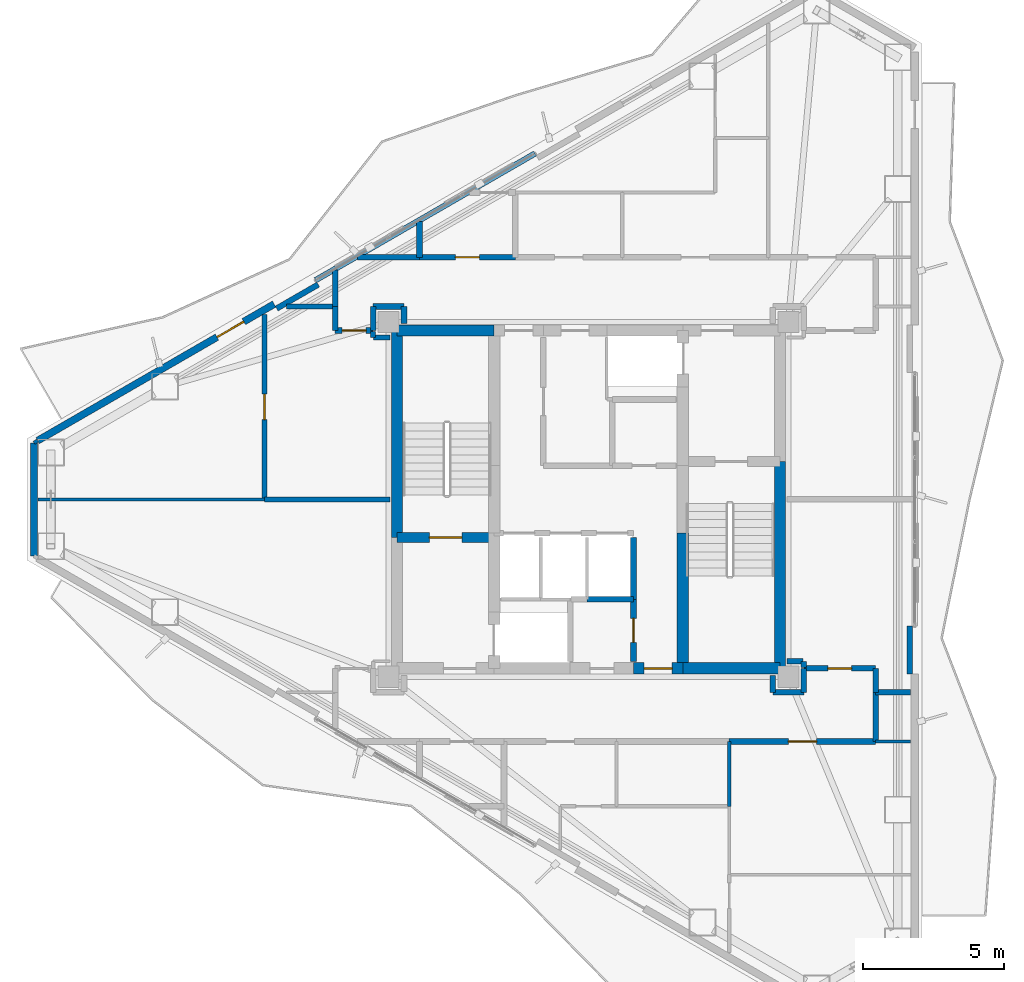
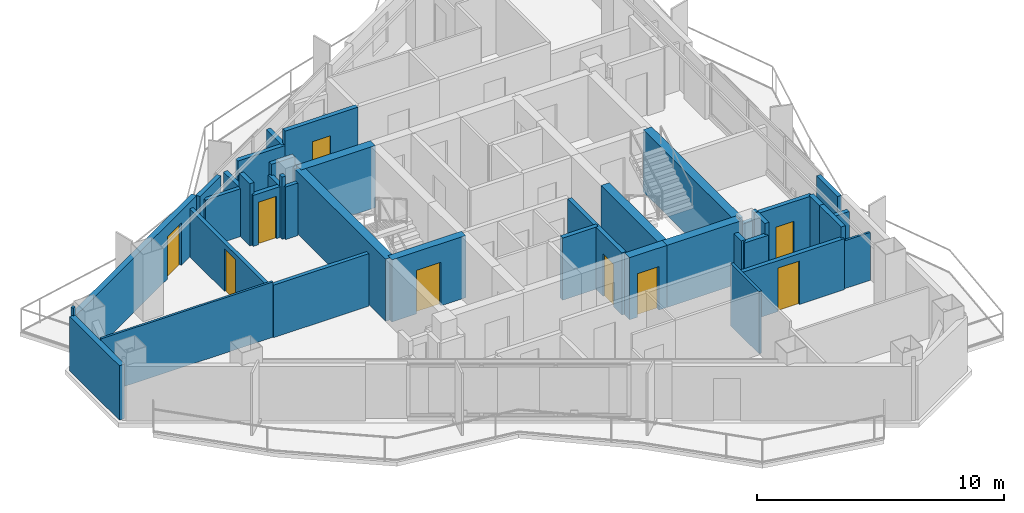
# One storey, part 17 of 21: 43 walls, 9 doors, 9 openings.
"""IFC4 building model written with IfcOpenShell, lengths in metres."""

from ifc_helpers import new_model, si_unit, direction, frame, frame_2d, origin, place, context, subcontext, project, spatial, rectangle, extrude, material, layer, layer_set, type_object, element, fill, save


model = new_model("IFC4")

# Units and contexts
model_context = context("Model", 3, precision=1e-05, world=origin(), true_north=direction((0.0, 1.0)))
body_context = subcontext(model_context, "Body", "Model", "MODEL_VIEW")
ifc_project = project(units=[si_unit("LENGTHUNIT", "METRE"), si_unit("AREAUNIT", "SQUARE_METRE"), si_unit("VOLUMEUNIT", "CUBIC_METRE"), si_unit("PLANEANGLEUNIT", "RADIAN"), si_unit("MASSUNIT", "GRAM", prefix="KILO")], contexts=[model_context])

# Site, building, storey
site_placement = place(None, origin())
site = spatial("IfcSite", under=ifc_project, at=site_placement, CompositionType="ELEMENT")
building_placement = place(site_placement, origin())
building = spatial("IfcBuilding", under=site, at=building_placement, Name="Mersakhor Tower and Convention Hall", CompositionType="ELEMENT")
storey_placement = place(building_placement, frame((0.0, 0.0, 182.10009765625)))
storey = spatial("IfcBuildingStorey", under=building, at=storey_placement, Name="L50", CompositionType="ELEMENT", Elevation=182.10009765625)

# Wall
ifc_material_1 = material(Name="Precast concrete C40/50", Category="concrete")
ifc_layer_1 = layer(ifc_material_1, 0.25)
ifc_layer_set_1 = layer_set([ifc_layer_1], Name="Precast concrete C40/50")
wall_type_1 = type_object("IfcWallType", Name="WL-EXT-250", PredefinedType="SOLIDWALL", material=ifc_layer_set_1)
wall_1_placement = place(storey_placement, frame((9.3076171875, 24.73828125, 0.0), z_axis=(0.0, 0.0, 1.0), x_axis=(0.0, 1.0, 0.0)))
element("IfcWall", 1, at=wall_1_placement, inside=storey, type_object=wall_type_1, Name="L50 Chamfer Braced Spandrel Wall C3", PredefinedType="SOLIDWALL", context=body_context, shape_type="SweptSolid", body=[
    extrude(rectangle(XDim=4.0234375, YDim=0.25, at=frame_2d((2.01171875, 0.0))), origin(), (0.0, 0.0, 1.0), 2.68994140625),
])

# Wall, opening, door
wall_2_placement = place(storey_placement, frame((9.4375, 28.836669921875, 0.0), z_axis=(0.0, 0.0, 1.0), x_axis=(0.866027133173, 0.499997004599, 0.0)))
wall_2 = element("IfcWall", 2, at=wall_2_placement, inside=storey, type_object=wall_type_1, Name="L50 Exterior Facade Wall F1-B1", PredefinedType="SOLIDWALL", context=body_context, shape_type="SweptSolid", body=[
    extrude(rectangle(XDim=9.69873046875, YDim=0.25, at=frame_2d((4.849365234375, 0.0))), origin(), (0.0, 0.0, 1.0), 2.68994140625),
])
opening_1_placement = place(wall_2_placement, frame((7.35205078125, 0.0, 0.0)))
opening_1 = element("IfcOpeningElement", 3, at=opening_1_placement, cuts=wall_2, Name="Opening BD-02", PredefinedType="OPENING", context=body_context, shape_type="SweptSolid", body=[
    extrude(rectangle(XDim=1.10009765625, YDim=2.10009765625, at=frame_2d((0.550048828125, 1.050048828125))), frame((0.0, 0.135009765625, 0.0), z_axis=(0.0, -1.0, 0.0), x_axis=(1.0, 0.0, 0.0)), (0.0, 0.0, 1.0), 0.27001953125),
])
ifc_material_2 = material(Name="Thermally broken dark aluminium and safety glass", Category="aluminium")
door_type_1 = type_object("IfcDoorType", Name="DR-BAL-110x210", OperationType="NOTDEFINED", PredefinedType="DOOR", material=ifc_material_2)
door_1_placement = place(opening_1_placement, origin())
door_1 = element("IfcDoor", 4, at=door_1_placement, inside=storey, type_object=door_type_1, Name="L50 Balcony Terrace Door F1-B1", OperationType="SINGLE_SWING_RIGHT", OverallHeight=2.10009765625, OverallWidth=1.10009765625, PredefinedType="DOOR", context=body_context, shape_type="SweptSolid", body=[
    extrude(rectangle(XDim=1.10009765625, YDim=2.10009765625, at=frame_2d((0.550048828125, 1.050048828125))), frame((0.0, 0.02490234375, 0.0), z_axis=(0.0, -1.0, 0.0), x_axis=(1.0, 0.0, 0.0)), (0.0, 0.0, 1.0), 0.050048828125),
])
fill(opening_1, door_1)

# Walls
ifc_material_3 = material(Name="Precast concrete C40/50", Category="concrete")
ifc_layer_2 = layer(ifc_material_3, 0.199951171875)
ifc_layer_set_2 = layer_set([ifc_layer_2], Name="Precast concrete C40/50")
wall_type_2 = type_object("IfcWallType", Name="WL-PAR-200", PredefinedType="PARAPET", material=ifc_layer_set_2)
wall_3_placement = place(storey_placement, frame((19.30908203125, 34.5361328125, 0.0), z_axis=(0.0, 0.0, 1.0), x_axis=(0.866020680503, 0.500008180874, 0.0)))
element("IfcWall", 5, at=wall_3_placement, inside=storey, type_object=wall_type_2, Name="L50 Curtain Wall Upstand Sill F1-B2", PredefinedType="PARAPET", context=body_context, shape_type="SweptSolid", body=[
    extrude(rectangle(XDim=8.998779296875, YDim=0.199951171875, at=frame_2d((4.49951171875, 0.0))), origin(), (0.0, 0.0, 1.0), 0.199951171875),
])
for number, where, z_axis, x_axis, name in (
    (6, (17.927001953125, 33.5302734375, 0.0), (0.0, 0.0, 1.0), (0.86605165483, 0.499954529098, 0.0), "L50 Column Pier Cladding Wall F1-C1"),
    (7, (40.408447265625, 22.25048828125, 0.0), (0.0, 0.0, 1.0), (0.0, -1.0, 0.0), "L50 Column Pier Cladding Wall F2-C2"),
):
    element("IfcWall", number, at=place(storey_placement, frame(where, z_axis=z_axis, x_axis=x_axis)), inside=storey, type_object=wall_type_2, Name=name, PredefinedType="PARAPET", context=body_context, shape_type="SweptSolid", body=[
        extrude(rectangle(XDim=1.699951171875, YDim=0.199951171875, at=frame_2d((0.85009765625, 0.0))), origin(), (0.0, 0.0, 1.0), 2.68994140625),
    ])
ifc_material_4 = material(Name="Moisture-resistant acoustic drywall studwork", Category="other")
ifc_layer_3 = layer(ifc_material_4, 0.175048828125)
ifc_layer_set_3 = layer_set([ifc_layer_3], Name="Moisture-resistant acoustic drywall studwork")
wall_type_3 = type_object("IfcWallType", Name="WL-PLM-175", PredefinedType="PLUMBINGWALL", material=ifc_layer_set_3)
wall_4_placement = place(storey_placement, frame((21.35009765625, 32.719970703125, 0.0), z_axis=(0.0, 0.0, 1.0), x_axis=(0.0, -1.0, 0.0)))
element("IfcWall", 8, at=wall_4_placement, inside=storey, type_object=wall_type_3, Name="L50 Interior Partition Wall P-050", PredefinedType="PLUMBINGWALL", context=body_context, shape_type="SweptSolid", body=[
    extrude(rectangle(XDim=0.219970703125, YDim=0.175048828125, at=frame_2d((0.10986328125, 0.0))), origin(), (0.0, 0.0, 1.0), 3.06982421875),
])
wall_5_placement = place(storey_placement, frame((21.364990234375, 32.5, 0.0), z_axis=(0.0, 0.0, 1.0), x_axis=(1.0, 0.0, 0.0)))
element("IfcWall", 9, at=wall_5_placement, inside=storey, type_object=wall_type_3, Name="L50 Interior Partition Wall P-051", PredefinedType="PLUMBINGWALL", context=body_context, shape_type="SweptSolid", body=[
    extrude(rectangle(XDim=0.5849609375, YDim=0.175048828125, at=frame_2d((0.29248046875, 0.0))), origin(), (0.0, 0.0, 1.0), 2.594970703125),
])
wall_6_placement = place(storey_placement, frame((21.949951171875, 26.75, 0.0), z_axis=(0.0, 0.0, 1.0), x_axis=(-1.0, 0.0, 0.0)))
element("IfcWall", 10, at=wall_6_placement, inside=storey, type_object=wall_type_3, Name="L50 Interior Partition Wall P-052", PredefinedType="PLUMBINGWALL", context=body_context, shape_type="SweptSolid", body=[
    extrude(rectangle(XDim=4.449951171875, YDim=0.175048828125, at=frame_2d((2.22509765625, 0.0))), origin(), (0.0, 0.0, 1.0), 2.594970703125),
])

# Wall, opening, door
wall_7_placement = place(storey_placement, frame((17.5, 26.75, 0.0), z_axis=(0.0, 0.0, 1.0), x_axis=(0.0, 1.0, 0.0)))
wall_7 = element("IfcWall", 11, at=wall_7_placement, inside=storey, type_object=wall_type_3, Name="L50 Interior Partition Wall P-053", PredefinedType="PLUMBINGWALL", context=body_context, shape_type="SweptSolid", body=[
    extrude(rectangle(XDim=6.569580078125, YDim=0.175048828125, at=frame_2d((3.28466796875, 0.0))), origin(), (0.0, 0.0, 1.0), 2.364990234375),
])
opening_2_placement = place(wall_7_placement, frame((2.834716796875, 0.0, 0.0)))
opening_2 = element("IfcOpeningElement", 12, at=opening_2_placement, cuts=wall_7, Name="Opening WD-01", PredefinedType="OPENING", context=body_context, shape_type="SweptSolid", body=[
    extrude(rectangle(XDim=0.89990234375, YDim=2.10009765625, at=frame_2d((0.449951171875, 1.050048828125))), frame((0.0, 0.097412109375, 0.0), z_axis=(0.0, -1.0, 0.0), x_axis=(1.0, 0.0, 0.0)), (0.0, 0.0, 1.0), 0.195068359375),
])
ifc_material_5 = material(Name="Solid-core hardwood leaf in painted steel frame", Category="steel")
door_type_2 = type_object("IfcDoorType", Name="DR-INT-WET-090x210", OperationType="NOTDEFINED", PredefinedType="DOOR", material=ifc_material_5)
door_2_placement = place(opening_2_placement, origin())
door_2 = element("IfcDoor", 13, at=door_2_placement, inside=storey, type_object=door_type_2, Name="L50 L50 West Wing Public Restroom WC to L50 West Wing Residents Conference Room 1 Door", OperationType="SINGLE_SWING_RIGHT", OverallHeight=2.10009765625, OverallWidth=0.89990234375, PredefinedType="DOOR", context=body_context, shape_type="SweptSolid", body=[
    extrude(rectangle(XDim=0.89990234375, YDim=2.10009765625, at=frame_2d((0.449951171875, 1.050048828125))), frame((0.0, 0.02490234375, 0.0), z_axis=(0.0, -1.0, 0.0), x_axis=(1.0, 0.0, 0.0)), (0.0, 0.0, 1.0), 0.050048828125),
])
fill(opening_2, door_2)

# Walls
wall_8_placement = place(storey_placement, frame((18.273193359375, 33.60009765625, 0.0), z_axis=(0.0, 0.0, 1.0), x_axis=(1.0, 0.0, 0.0)))
element("IfcWall", 14, at=wall_8_placement, inside=storey, type_object=wall_type_3, Name="L50 Interior Partition Wall P-054", PredefinedType="PLUMBINGWALL", context=body_context, shape_type="SweptSolid", body=[
    extrude(rectangle(XDim=1.726806640625, YDim=0.175048828125, at=frame_2d((0.86328125, 0.0))), origin(), (0.0, 0.0, 1.0), 2.364990234375),
])
ifc_material_6 = material(Name="Lightweight gypsum partition", Category="other")
ifc_layer_4 = layer(ifc_material_6, 0.10009765625)
ifc_layer_set_4 = layer_set([ifc_layer_4], Name="Lightweight gypsum partition")
wall_type_4 = type_object("IfcWallType", Name="WL-PRT-100", PredefinedType="PARTITIONING", material=ifc_layer_set_4)
wall_9_placement = place(storey_placement, frame((17.5, 26.75, 0.0), z_axis=(0.0, 0.0, 1.0), x_axis=(-1.0, 0.0, 0.0)))
element("IfcWall", 15, at=wall_9_placement, inside=storey, type_object=wall_type_4, Name="L50 Interior Partition Wall P-056", PredefinedType="PARTITIONING", context=body_context, shape_type="SweptSolid", body=[
    extrude(rectangle(XDim=8.04345703125, YDim=0.10009765625, at=frame_2d((4.021728515625, 0.0))), origin(), (0.0, 0.0, 1.0), 2.734375),
])
wall_10_placement = place(storey_placement, frame((39.199951171875, 18.14990234375, 0.0), z_axis=(0.0, 0.0, 1.0), x_axis=(1.0, 0.0, 0.0)))
element("IfcWall", 16, at=wall_10_placement, inside=storey, type_object=wall_type_4, Name="L50 Interior Partition Wall P-092", PredefinedType="PARTITIONING", context=body_context, shape_type="SweptSolid", body=[
    extrude(rectangle(XDim=1.239501953125, YDim=0.10009765625, at=frame_2d((0.61962890625, 0.0))), origin(), (0.0, 0.0, 1.0), 2.364990234375),
])
ifc_material_7 = material(Name="Gypsum board acoustic partition", Category="other")
ifc_layer_5 = layer(ifc_material_7, 0.125)
ifc_layer_set_5 = layer_set([ifc_layer_5], Name="Gypsum board acoustic partition")
wall_type_5 = type_object("IfcWallType", Name="WL-PRT-125", PredefinedType="PARTITIONING", material=ifc_layer_set_5)
wall_11_placement = place(storey_placement, frame((9.306884765625, 28.761962890625, 0.0), z_axis=(0.0, 0.0, 1.0), x_axis=(0.865833797362, 0.500331725305, 0.0)))
element("IfcWall", 17, at=wall_11_placement, inside=storey, type_object=wall_type_5, Name="L50 Interior Partition Wall P-057", PredefinedType="PARTITIONING", context=body_context, shape_type="SweptSolid", body=[
    extrude(rectangle(XDim=0.150390625, YDim=0.125, at=frame_2d((0.0751953125, 0.0))), origin(), (0.0, 0.0, 1.0), 3.06982421875),
])
wall_12_placement = place(storey_placement, frame((34.0, 15.85009765625, 0.0), z_axis=(0.0, 0.0, 1.0), x_axis=(0.0, 1.0, 0.0)))
element("IfcWall", 18, at=wall_12_placement, inside=storey, type_object=wall_type_5, Name="L50 Interior Partition Wall P-093", PredefinedType="PARTITIONING", context=body_context, shape_type="SweptSolid", body=[
    extrude(rectangle(XDim=2.2998046875, YDim=0.125, at=frame_2d((1.14990234375, 0.0))), origin(), (0.0, 0.0, 1.0), 3.06982421875),
])
ifc_material_8 = material(Name="Acoustic concrete blockwork and gypsum board", Category="masonry")
ifc_layer_6 = layer(ifc_material_8, 0.199951171875)
ifc_layer_set_6 = layer_set([ifc_layer_6], Name="Acoustic concrete blockwork and gypsum board")
wall_type_6 = type_object("IfcWallType", Name="WL-PRT-200", PredefinedType="PARTITIONING", material=ifc_layer_set_6)
wall_13_placement = place(storey_placement, frame((30.60009765625, 25.39990234375, 0.0), z_axis=(0.0, 0.0, 1.0), x_axis=(0.0, -1.0, 0.0)))
element("IfcWall", 19, at=wall_13_placement, inside=storey, type_object=wall_type_6, Name="L50 Interior Partition Wall P-010", PredefinedType="PARTITIONING", context=body_context, shape_type="SweptSolid", body=[
    extrude(rectangle(XDim=2.199951171875, YDim=0.199951171875, at=frame_2d((1.10009765625, 0.0))), origin(), (0.0, 0.0, 1.0), 3.06982421875),
])
wall_14_placement = place(storey_placement, frame((30.60009765625, 23.199951171875, 0.0), z_axis=(0.0, 0.0, 1.0), x_axis=(-1.0, 0.0, 0.0)))
element("IfcWall", 20, at=wall_14_placement, inside=storey, type_object=wall_type_6, Name="L50 Interior Partition Wall P-011", PredefinedType="PARTITIONING", context=body_context, shape_type="SweptSolid", body=[
    extrude(rectangle(XDim=1.650146484375, YDim=0.199951171875, at=frame_2d((0.8251953125, 0.0))), origin(), (0.0, 0.0, 1.0), 3.06982421875),
])

# Wall, opening, door
wall_15_placement = place(storey_placement, frame((30.60009765625, 21.0, 0.0), z_axis=(0.0, 0.0, 1.0), x_axis=(0.0, 1.0, 0.0)))
wall_15 = element("IfcWall", 21, at=wall_15_placement, inside=storey, type_object=wall_type_6, Name="L50 Interior Partition Wall P-012", PredefinedType="PARTITIONING", context=body_context, shape_type="SweptSolid", body=[
    extrude(rectangle(XDim=2.199951171875, YDim=0.199951171875, at=frame_2d((1.10009765625, 0.0))), origin(), (0.0, 0.0, 1.0), 3.06982421875),
])
opening_3_placement = place(wall_15_placement, frame((0.675048828125, 0.0, 0.0)))
opening_3 = element("IfcOpeningElement", 22, at=opening_3_placement, cuts=wall_15, Name="Opening SVD-01", PredefinedType="OPENING", context=body_context, shape_type="SweptSolid", body=[
    extrude(rectangle(XDim=0.85009765625, YDim=2.10009765625, at=frame_2d((0.425048828125, 1.050048828125))), frame((0.0, 0.10986328125, 0.0), z_axis=(0.0, -1.0, 0.0), x_axis=(1.0, 0.0, 0.0)), (0.0, 0.0, 1.0), 0.219970703125),
])
ifc_material_9 = material(Name="Fire-rated hardwood leaf and painted steel frame", Category="steel")
door_type_3 = type_object("IfcDoorType", Name="DR-INT-SVC-085x210", OperationType="NOTDEFINED", PredefinedType="DOOR", material=ifc_material_9)
door_3_placement = place(opening_3_placement, origin())
door_3 = element("IfcDoor", 23, at=door_3_placement, inside=storey, type_object=door_type_3, Name="L50 Central Passenger Lift Lobby to Electrical Switchroom Door", OperationType="SINGLE_SWING_RIGHT", OverallHeight=2.10009765625, OverallWidth=0.85009765625, PredefinedType="DOOR", context=body_context, shape_type="SweptSolid", body=[
    extrude(rectangle(XDim=0.85009765625, YDim=2.10009765625, at=frame_2d((0.425048828125, 1.050048828125))), frame((0.0, 0.02490234375, 0.0), z_axis=(0.0, -1.0, 0.0), x_axis=(1.0, 0.0, 0.0)), (0.0, 0.0, 1.0), 0.050048828125),
])
fill(opening_3, door_3)

# Walls
wall_16_placement = place(storey_placement, frame((22.449951171875, 33.0, 0.0), z_axis=(0.0, 0.0, 1.0), x_axis=(0.0, 1.0, 0.0)))
element("IfcWall", 24, at=wall_16_placement, inside=storey, type_object=wall_type_6, Name="L50 Interior Partition Wall P-022", PredefinedType="PARTITIONING", context=body_context, shape_type="SweptSolid", body=[
    extrude(rectangle(XDim=0.60009765625, YDim=0.199951171875, at=frame_2d((0.300048828125, 0.0))), origin(), (0.0, 0.0, 1.0), 2.594970703125),
])
wall_17_placement = place(storey_placement, frame((22.449951171875, 33.60009765625, 0.0), z_axis=(0.0, 0.0, 1.0), x_axis=(-1.0, 0.0, 0.0)))
element("IfcWall", 25, at=wall_17_placement, inside=storey, type_object=wall_type_6, Name="L50 Interior Partition Wall P-023", PredefinedType="PARTITIONING", context=body_context, shape_type="SweptSolid", body=[
    extrude(rectangle(XDim=1.099853515625, YDim=0.199951171875, at=frame_2d((0.5498046875, 0.0))), origin(), (0.0, 0.0, 1.0), 3.06982421875),
])
wall_18_placement = place(storey_placement, frame((21.35009765625, 33.60009765625, 0.0), z_axis=(0.0, 0.0, 1.0), x_axis=(0.0, -1.0, 0.0)))
element("IfcWall", 26, at=wall_18_placement, inside=storey, type_object=wall_type_6, Name="L50 Interior Partition Wall P-024", PredefinedType="PARTITIONING", context=body_context, shape_type="SweptSolid", body=[
    extrude(rectangle(XDim=0.85009765625, YDim=0.199951171875, at=frame_2d((0.425048828125, 0.0))), origin(), (0.0, 0.0, 1.0), 2.518310546875),
])

# Wall, opening, door
wall_19_placement = place(storey_placement, frame((21.35009765625, 32.75, 0.0), z_axis=(0.0, 0.0, 1.0), x_axis=(-1.0, 0.0, 0.0)))
wall_19 = element("IfcWall", 27, at=wall_19_placement, inside=storey, type_object=wall_type_6, Name="L50 Interior Partition Wall P-025", PredefinedType="PARTITIONING", context=body_context, shape_type="SweptSolid", body=[
    extrude(rectangle(XDim=1.35009765625, YDim=0.199951171875, at=frame_2d((0.675048828125, 0.0))), origin(), (0.0, 0.0, 1.0), 2.518310546875),
])
opening_4_placement = place(wall_19_placement, frame((0.25, 0.0, 0.0)))
opening_4 = element("IfcOpeningElement", 28, at=opening_4_placement, cuts=wall_19, Name="Opening SVD-01", PredefinedType="OPENING", context=body_context, shape_type="SweptSolid", body=[
    extrude(rectangle(XDim=0.85009765625, YDim=2.10009765625, at=frame_2d((0.425048828125, 1.050048828125))), frame((0.0, 0.10986328125, 0.0), z_axis=(0.0, -1.0, 0.0), x_axis=(1.0, 0.0, 0.0)), (0.0, 0.0, 1.0), 0.219970703125),
])
door_4_placement = place(opening_4_placement, origin())
door_4 = element("IfcDoor", 29, at=door_4_placement, inside=storey, type_object=door_type_3, Name="L50 Residential North Gallery Corridor to L50 West Wing Public Restroom WC Door", OperationType="SINGLE_SWING_LEFT", OverallHeight=2.10009765625, OverallWidth=0.85009765625, PredefinedType="DOOR", context=body_context, shape_type="SweptSolid", body=[
    extrude(rectangle(XDim=0.85009765625, YDim=2.10009765625, at=frame_2d((0.425048828125, 1.050048828125))), frame((0.0, 0.02490234375, 0.0), z_axis=(0.0, -1.0, 0.0), x_axis=(1.0, 0.0, 0.0)), (0.0, 0.0, 1.0), 0.050048828125),
])
fill(opening_4, door_4)

# Walls
wall_20_placement = place(storey_placement, frame((20.0, 32.75, 0.0), z_axis=(0.0, 0.0, 1.0), x_axis=(0.0, 1.0, 0.0)))
element("IfcWall", 30, at=wall_20_placement, inside=storey, type_object=wall_type_6, Name="L50 Interior Partition Wall P-026", PredefinedType="PARTITIONING", context=body_context, shape_type="SweptSolid", body=[
    extrude(rectangle(XDim=0.85009765625, YDim=0.199951171875, at=frame_2d((0.425048828125, 0.0))), origin(), (0.0, 0.0, 1.0), 3.06982421875),
])
wall_21_placement = place(storey_placement, frame((20.0, 33.60009765625, 0.0), z_axis=(0.0, 0.0, 1.0), x_axis=(0.0, 1.0, 0.0)))
element("IfcWall", 31, at=wall_21_placement, inside=storey, type_object=wall_type_6, Name="L50 Interior Partition Wall P-027", PredefinedType="PARTITIONING", context=body_context, shape_type="SweptSolid", body=[
    extrude(rectangle(XDim=1.291015625, YDim=0.199951171875, at=frame_2d((0.6455078125, 0.0))), origin(), (0.0, 0.0, 1.0), 2.364990234375),
])
wall_22_placement = place(storey_placement, frame((20.7880859375, 35.35009765625, 0.0), z_axis=(0.0, 0.0, 1.0), x_axis=(1.0, 0.0, 0.0)))
element("IfcWall", 32, at=wall_22_placement, inside=storey, type_object=wall_type_6, Name="L50 Interior Partition Wall P-028", PredefinedType="PARTITIONING", context=body_context, shape_type="SweptSolid", body=[
    extrude(rectangle(XDim=2.2119140625, YDim=0.199951171875, at=frame_2d((1.10595703125, 0.0))), origin(), (0.0, 0.0, 1.0), 2.364990234375),
])

# Wall, opening, door
wall_23_placement = place(storey_placement, frame((23.0, 35.35009765625, 0.0), z_axis=(0.0, 0.0, 1.0), x_axis=(1.0, 0.0, 0.0)))
wall_23 = element("IfcWall", 33, at=wall_23_placement, inside=storey, type_object=wall_type_6, Name="L50 Interior Partition Wall P-029", PredefinedType="PARTITIONING", context=body_context, shape_type="SweptSolid", body=[
    extrude(rectangle(XDim=3.39990234375, YDim=0.199951171875, at=frame_2d((1.699951171875, 0.0))), origin(), (0.0, 0.0, 1.0), 3.06982421875),
])
opening_5_placement = place(wall_23_placement, frame((1.27490234375, 0.0, 0.0)))
opening_5 = element("IfcOpeningElement", 34, at=opening_5_placement, cuts=wall_23, Name="Opening SVD-01", PredefinedType="OPENING", context=body_context, shape_type="SweptSolid", body=[
    extrude(rectangle(XDim=0.85009765625, YDim=2.10009765625, at=frame_2d((0.425048828125, 1.050048828125))), frame((0.0, 0.10986328125, 0.0), z_axis=(0.0, -1.0, 0.0), x_axis=(1.0, 0.0, 0.0)), (0.0, 0.0, 1.0), 0.219970703125),
])
door_5_placement = place(opening_5_placement, origin())
door_5 = element("IfcDoor", 35, at=door_5_placement, inside=storey, type_object=door_type_3, Name="L50 Residential North Gallery Corridor to L50 Floor Household Store Room 1-1 Door", OperationType="SINGLE_SWING_RIGHT", OverallHeight=2.10009765625, OverallWidth=0.85009765625, PredefinedType="DOOR", context=body_context, shape_type="SweptSolid", body=[
    extrude(rectangle(XDim=0.85009765625, YDim=2.10009765625, at=frame_2d((0.425048828125, 1.050048828125))), frame((0.0, 0.02490234375, 0.0), z_axis=(0.0, -1.0, 0.0), x_axis=(1.0, 0.0, 0.0)), (0.0, 0.0, 1.0), 0.050048828125),
])
fill(opening_5, door_5)

# Walls
wall_24_placement = place(storey_placement, frame((35.550048828125, 20.5, 0.0), z_axis=(0.0, 0.0, 1.0), x_axis=(0.0, -1.0, 0.0)))
element("IfcWall", 36, at=wall_24_placement, inside=storey, type_object=wall_type_6, Name="L50 Interior Partition Wall P-037", PredefinedType="PARTITIONING", context=body_context, shape_type="SweptSolid", body=[
    extrude(rectangle(XDim=0.60009765625, YDim=0.199951171875, at=frame_2d((0.300048828125, 0.0))), origin(), (0.0, 0.0, 1.0), 2.594970703125),
])
wall_25_placement = place(storey_placement, frame((35.550048828125, 19.89990234375, 0.0), z_axis=(0.0, 0.0, 1.0), x_axis=(1.0, 0.0, 0.0)))
element("IfcWall", 37, at=wall_25_placement, inside=storey, type_object=wall_type_6, Name="L50 Interior Partition Wall P-038", PredefinedType="PARTITIONING", context=body_context, shape_type="SweptSolid", body=[
    extrude(rectangle(XDim=1.099853515625, YDim=0.199951171875, at=frame_2d((0.5498046875, 0.0))), origin(), (0.0, 0.0, 1.0), 2.518310546875),
])
wall_26_placement = place(storey_placement, frame((36.64990234375, 19.89990234375, 0.0), z_axis=(0.0, 0.0, 1.0), x_axis=(0.0, 1.0, 0.0)))
element("IfcWall", 38, at=wall_26_placement, inside=storey, type_object=wall_type_6, Name="L50 Interior Partition Wall P-039", PredefinedType="PARTITIONING", context=body_context, shape_type="SweptSolid", body=[
    extrude(rectangle(XDim=0.85009765625, YDim=0.199951171875, at=frame_2d((0.425048828125, 0.0))), origin(), (0.0, 0.0, 1.0), 3.06982421875),
])

# Wall, opening, door
wall_27_placement = place(storey_placement, frame((36.64990234375, 20.75, 0.0), z_axis=(0.0, 0.0, 1.0), x_axis=(1.0, 0.0, 0.0)))
wall_27 = element("IfcWall", 39, at=wall_27_placement, inside=storey, type_object=wall_type_6, Name="L50 Interior Partition Wall P-040", PredefinedType="PARTITIONING", context=body_context, shape_type="SweptSolid", body=[
    extrude(rectangle(XDim=2.550048828125, YDim=0.199951171875, at=frame_2d((1.27490234375, 0.0))), origin(), (0.0, 0.0, 1.0), 3.06982421875),
])
opening_6_placement = place(wall_27_placement, frame((0.85009765625, 0.0, 0.0)))
opening_6 = element("IfcOpeningElement", 40, at=opening_6_placement, cuts=wall_27, Name="Opening SVD-01", PredefinedType="OPENING", context=body_context, shape_type="SweptSolid", body=[
    extrude(rectangle(XDim=0.85009765625, YDim=2.10009765625, at=frame_2d((0.425048828125, 1.050048828125))), frame((0.0, 0.10986328125, 0.0), z_axis=(0.0, -1.0, 0.0), x_axis=(1.0, 0.0, 0.0)), (0.0, 0.0, 1.0), 0.219970703125),
])
door_6_placement = place(opening_6_placement, origin())
door_6 = element("IfcDoor", 41, at=door_6_placement, inside=storey, type_object=door_type_3, Name="L50 Residential South Gallery Corridor to L50 East Wing Household Store Door", OperationType="SINGLE_SWING_RIGHT", OverallHeight=2.10009765625, OverallWidth=0.85009765625, PredefinedType="DOOR", context=body_context, shape_type="SweptSolid", body=[
    extrude(rectangle(XDim=0.85009765625, YDim=2.10009765625, at=frame_2d((0.425048828125, 1.050048828125))), frame((0.0, 0.02490234375, 0.0), z_axis=(0.0, -1.0, 0.0), x_axis=(1.0, 0.0, 0.0)), (0.0, 0.0, 1.0), 0.050048828125),
])
fill(opening_6, door_6)

# Walls
wall_28_placement = place(storey_placement, frame((39.199951171875, 20.75, 0.0), z_axis=(0.0, 0.0, 1.0), x_axis=(0.0, -1.0, 0.0)))
element("IfcWall", 42, at=wall_28_placement, inside=storey, type_object=wall_type_6, Name="L50 Interior Partition Wall P-041", PredefinedType="PARTITIONING", context=body_context, shape_type="SweptSolid", body=[
    extrude(rectangle(XDim=0.85009765625, YDim=0.199951171875, at=frame_2d((0.425048828125, 0.0))), origin(), (0.0, 0.0, 1.0), 3.06982421875),
])
wall_29_placement = place(storey_placement, frame((39.199951171875, 19.89990234375, 0.0), z_axis=(0.0, 0.0, 1.0), x_axis=(0.0, -1.0, 0.0)))
element("IfcWall", 43, at=wall_29_placement, inside=storey, type_object=wall_type_6, Name="L50 Interior Partition Wall P-042", PredefinedType="PARTITIONING", context=body_context, shape_type="SweptSolid", body=[
    extrude(rectangle(XDim=1.75, YDim=0.199951171875, at=frame_2d((0.875, 0.0))), origin(), (0.0, 0.0, 1.0), 3.06982421875),
])

# Wall, opening, door
wall_30_placement = place(storey_placement, frame((39.199951171875, 18.14990234375, 0.0), z_axis=(0.0, 0.0, 1.0), x_axis=(-1.0, 0.0, 0.0)))
wall_30 = element("IfcWall", 44, at=wall_30_placement, inside=storey, type_object=wall_type_6, Name="L50 Interior Partition Wall P-043", PredefinedType="PARTITIONING", context=body_context, shape_type="SweptSolid", body=[
    extrude(rectangle(XDim=5.199951171875, YDim=0.199951171875, at=frame_2d((2.60009765625, 0.0))), origin(), (0.0, 0.0, 1.0), 2.518310546875),
])
opening_7_placement = place(wall_30_placement, frame((2.10009765625, 0.0, 0.0)))
opening_7 = element("IfcOpeningElement", 45, at=opening_7_placement, cuts=wall_30, Name="Opening FD-01", PredefinedType="OPENING", context=body_context, shape_type="SweptSolid", body=[
    extrude(rectangle(XDim=1.0, YDim=2.14990234375, at=frame_2d((0.5, 1.074951171875))), frame((0.0, 0.10986328125, 0.0), z_axis=(0.0, -1.0, 0.0), x_axis=(1.0, 0.0, 0.0)), (0.0, 0.0, 1.0), 0.219970703125),
])
ifc_material_10 = material(Name="Fire-rated hardwood leaf and painted steel frame", Category="steel")
door_type_4 = type_object("IfcDoorType", Name="DR-INT-FLT-100x215", OperationType="NOTDEFINED", PredefinedType="DOOR", material=ifc_material_10)
door_7_placement = place(opening_7_placement, origin())
door_7 = element("IfcDoor", 46, at=door_7_placement, inside=storey, type_object=door_type_4, Name="L50 Residential South Gallery Corridor to L50 Floor Residents Study Room 2-5 Door", OperationType="SINGLE_SWING_LEFT", OverallHeight=2.14990234375, OverallWidth=1.0, PredefinedType="DOOR", context=body_context, shape_type="SweptSolid", body=[
    extrude(rectangle(XDim=1.0, YDim=2.14990234375, at=frame_2d((0.5, 1.074951171875))), frame((0.0, 0.02490234375, 0.0), z_axis=(0.0, -1.0, 0.0), x_axis=(1.0, 0.0, 0.0)), (0.0, 0.0, 1.0), 0.050048828125),
])
fill(opening_7, door_7)

# Walls
wall_31_placement = place(storey_placement, frame((36.64990234375, 20.780029296875, 0.0), z_axis=(0.0, 0.0, 1.0), x_axis=(0.0, 1.0, 0.0)))
element("IfcWall", 47, at=wall_31_placement, inside=storey, type_object=wall_type_6, Name="L50 Interior Partition Wall P-066", PredefinedType="PARTITIONING", context=body_context, shape_type="SweptSolid", body=[
    extrude(rectangle(XDim=0.219970703125, YDim=0.199951171875, at=frame_2d((0.10986328125, 0.0))), origin(), (0.0, 0.0, 1.0), 3.06982421875),
])
wall_32_placement = place(storey_placement, frame((36.6201171875, 21.0, 0.0), z_axis=(0.0, 0.0, 1.0), x_axis=(-1.0, 0.0, 0.0)))
element("IfcWall", 48, at=wall_32_placement, inside=storey, type_object=wall_type_6, Name="L50 Interior Partition Wall P-067", PredefinedType="PARTITIONING", context=body_context, shape_type="SweptSolid", body=[
    extrude(rectangle(XDim=0.570068359375, YDim=0.199951171875, at=frame_2d((0.28515625, 0.0))), origin(), (0.0, 0.0, 1.0), 2.594970703125),
])
wall_33_placement = place(storey_placement, frame((40.439453125, 19.89990234375, 0.0), z_axis=(0.0, 0.0, 1.0), x_axis=(-1.0, 0.0, 0.0)))
element("IfcWall", 49, at=wall_33_placement, inside=storey, type_object=wall_type_6, Name="L50 Interior Partition Wall P-068", PredefinedType="PARTITIONING", context=body_context, shape_type="SweptSolid", body=[
    extrude(rectangle(XDim=1.239501953125, YDim=0.199951171875, at=frame_2d((0.61962890625, 0.0))), origin(), (0.0, 0.0, 1.0), 2.364990234375),
])
wall_34_placement = place(storey_placement, frame((23.0, 35.35009765625, 0.0), z_axis=(0.0, 0.0, 1.0), x_axis=(0.0, 1.0, 0.0)))
element("IfcWall", 50, at=wall_34_placement, inside=storey, type_object=wall_type_6, Name="L50 Interior Partition Wall P-071", PredefinedType="PARTITIONING", context=body_context, shape_type="SweptSolid", body=[
    extrude(rectangle(XDim=1.27294921875, YDim=0.199951171875, at=frame_2d((0.636474609375, 0.0))), origin(), (0.0, 0.0, 1.0), 2.364990234375),
])

# Wall, opening, door
ifc_material_11 = material(Name="Concrete C50/60", Category="concrete")
ifc_layer_7 = layer(ifc_material_11, 0.35009765625)
ifc_layer_set_7 = layer_set([ifc_layer_7], Name="Concrete C50/60")
wall_type_7 = type_object("IfcWallType", Name="WL-SHR-350", PredefinedType="SHEAR", material=ifc_layer_set_7)
wall_35_placement = place(storey_placement, frame((22.199951171875, 25.39990234375, 0.0), z_axis=(0.0, 0.0, 1.0), x_axis=(1.0, 0.0, 0.0)))
wall_35 = element("IfcWall", 51, at=wall_35_placement, inside=storey, type_object=wall_type_7, Name="L50 Core Wall CS-ST1-S", PredefinedType="SHEAR", context=body_context, shape_type="SweptSolid", body=[
    extrude(rectangle(XDim=3.449951171875, YDim=0.35009765625, at=frame_2d((1.72509765625, 0.0))), origin(), (0.0, 0.0, 1.0), 3.06982421875),
])
opening_8_placement = place(wall_35_placement, frame((1.14990234375, 0.0, 0.0)))
opening_8 = element("IfcOpeningElement", 52, at=opening_8_placement, cuts=wall_35, Name="Opening SD-01", PredefinedType="OPENING", context=body_context, shape_type="SweptSolid", body=[
    extrude(rectangle(XDim=1.14990234375, YDim=2.14990234375, at=frame_2d((0.574951171875, 1.074951171875))), frame((0.0, 0.18505859375, 0.0), z_axis=(0.0, -1.0, 0.0), x_axis=(1.0, 0.0, 0.0)), (0.0, 0.0, 1.0), 0.3701171875),
])
ifc_material_12 = material(Name="Fire-rated hardwood leaf and painted steel frame", Category="steel")
door_type_5 = type_object("IfcDoorType", Name="DR-INT-STAIR-115x215", OperationType="NOTDEFINED", PredefinedType="DOOR", material=ifc_material_12)
door_8_placement = place(opening_8_placement, origin())
door_8 = element("IfcDoor", 53, at=door_8_placement, inside=storey, type_object=door_type_5, Name="L50 Exit Stair ST-1 Enclosure Door", OperationType="SINGLE_SWING_LEFT", OverallHeight=2.14990234375, OverallWidth=1.14990234375, PredefinedType="DOOR", context=body_context, shape_type="SweptSolid", body=[
    extrude(rectangle(XDim=1.14990234375, YDim=2.14990234375, at=frame_2d((0.574951171875, 1.074951171875))), frame((0.0, 0.02490234375, 0.0), z_axis=(0.0, -1.0, 0.0), x_axis=(1.0, 0.0, 0.0)), (0.0, 0.0, 1.0), 0.050048828125),
])
fill(opening_8, door_8)

# Walls
ifc_material_13 = material(Name="Concrete C60/75", Category="concrete")
ifc_layer_8 = layer(ifc_material_13, 0.39990234375)
ifc_layer_set_8 = layer_set([ifc_layer_8], Name="Concrete C60/75")
wall_type_8 = type_object("IfcWallType", Name="WL-SHR-400", PredefinedType="SHEAR", material=ifc_layer_set_8)
wall_36_placement = place(storey_placement, frame((22.199951171875, 25.39990234375, 0.0), z_axis=(0.0, 0.0, 1.0), x_axis=(0.0, 1.0, 0.0)))
element("IfcWall", 54, at=wall_36_placement, inside=storey, type_object=wall_type_8, Name="L50 Core Wall CW-W2", PredefinedType="SHEAR", context=body_context, shape_type="SweptSolid", body=[
    extrude(rectangle(XDim=7.35009765625, YDim=0.39990234375, at=frame_2d((3.675048828125, 0.0))), origin(), (0.0, 0.0, 1.0), 3.06982421875),
])
wall_37_placement = place(storey_placement, frame((22.199951171875, 32.75, 0.0), z_axis=(0.0, 0.0, 1.0), x_axis=(1.0, 0.0, 0.0)))
element("IfcWall", 55, at=wall_37_placement, inside=storey, type_object=wall_type_8, Name="L50 Core Wall CW-N1", PredefinedType="SHEAR", context=body_context, shape_type="SweptSolid", body=[
    extrude(rectangle(XDim=3.449951171875, YDim=0.39990234375, at=frame_2d((1.72509765625, 0.0))), origin(), (0.0, 0.0, 1.0), 3.06982421875),
])
wall_38_placement = place(storey_placement, frame((35.800048828125, 28.10009765625, 0.0), z_axis=(0.0, 0.0, 1.0), x_axis=(0.0, -1.0, 0.0)))
element("IfcWall", 56, at=wall_38_placement, inside=storey, type_object=wall_type_8, Name="L50 Core Wall CW-E2", PredefinedType="SHEAR", context=body_context, shape_type="SweptSolid", body=[
    extrude(rectangle(XDim=7.35009765625, YDim=0.39990234375, at=frame_2d((3.675048828125, 0.0))), origin(), (0.0, 0.0, 1.0), 3.06982421875),
])
wall_39_placement = place(storey_placement, frame((35.800048828125, 20.75, 0.0), z_axis=(0.0, 0.0, 1.0), x_axis=(-1.0, 0.0, 0.0)))
element("IfcWall", 57, at=wall_39_placement, inside=storey, type_object=wall_type_8, Name="L50 Core Wall CW-S1", PredefinedType="SHEAR", context=body_context, shape_type="SweptSolid", body=[
    extrude(rectangle(XDim=3.449951171875, YDim=0.39990234375, at=frame_2d((1.72509765625, 0.0))), origin(), (0.0, 0.0, 1.0), 3.06982421875),
])

# Wall, opening, door
wall_40_placement = place(storey_placement, frame((32.35009765625, 20.75, 0.0), z_axis=(0.0, 0.0, 1.0), x_axis=(-1.0, 0.0, 0.0)))
wall_40 = element("IfcWall", 58, at=wall_40_placement, inside=storey, type_object=wall_type_8, Name="L50 Core Wall CW-S2A", PredefinedType="SHEAR", context=body_context, shape_type="SweptSolid", body=[
    extrude(rectangle(XDim=1.75, YDim=0.39990234375, at=frame_2d((0.875, 0.0))), origin(), (0.0, 0.0, 1.0), 3.06982421875),
])
opening_9_placement = place(wall_40_placement, frame((0.375, 0.0, 0.0)))
opening_9 = element("IfcOpeningElement", 59, at=opening_9_placement, cuts=wall_40, Name="Opening CFD-01", PredefinedType="OPENING", context=body_context, shape_type="SweptSolid", body=[
    extrude(rectangle(XDim=1.0, YDim=2.14990234375, at=frame_2d((0.5, 1.074951171875))), frame((0.0, 0.2099609375, 0.0), z_axis=(0.0, -1.0, 0.0), x_axis=(1.0, 0.0, 0.0)), (0.0, 0.0, 1.0), 0.419921875),
])
ifc_material_14 = material(Name="Fire-rated hardwood leaf and painted steel frame", Category="steel")
door_type_6 = type_object("IfcDoorType", Name="DR-CORE-FD-100x215", OperationType="NOTDEFINED", PredefinedType="DOOR", material=ifc_material_14)
door_9_placement = place(opening_9_placement, origin())
door_9 = element("IfcDoor", 60, at=door_9_placement, inside=storey, type_object=door_type_6, Name="L50 Lift Lobby South Corridor Door", OperationType="SINGLE_SWING_RIGHT", OverallHeight=2.14990234375, OverallWidth=1.0, PredefinedType="DOOR", context=body_context, shape_type="SweptSolid", body=[
    extrude(rectangle(XDim=1.0, YDim=2.14990234375, at=frame_2d((0.5, 1.074951171875))), frame((0.0, 0.02490234375, 0.0), z_axis=(0.0, -1.0, 0.0), x_axis=(1.0, 0.0, 0.0)), (0.0, 0.0, 1.0), 0.050048828125),
])
fill(opening_9, door_9)

# Wall
wall_41_placement = place(storey_placement, frame((32.35009765625, 20.75, 0.0), z_axis=(0.0, 0.0, 1.0), x_axis=(0.0, 1.0, 0.0)))
element("IfcWall", 61, at=wall_41_placement, inside=storey, type_object=wall_type_8, Name="L50 Core Wall CS-E-ST2", PredefinedType="SHEAR", context=body_context, shape_type="SweptSolid", body=[
    extrude(rectangle(XDim=4.800048828125, YDim=0.39990234375, at=frame_2d((2.39990234375, 0.0))), origin(), (0.0, 0.0, 1.0), 3.06982421875),
])

save(model, "model.ifc")
